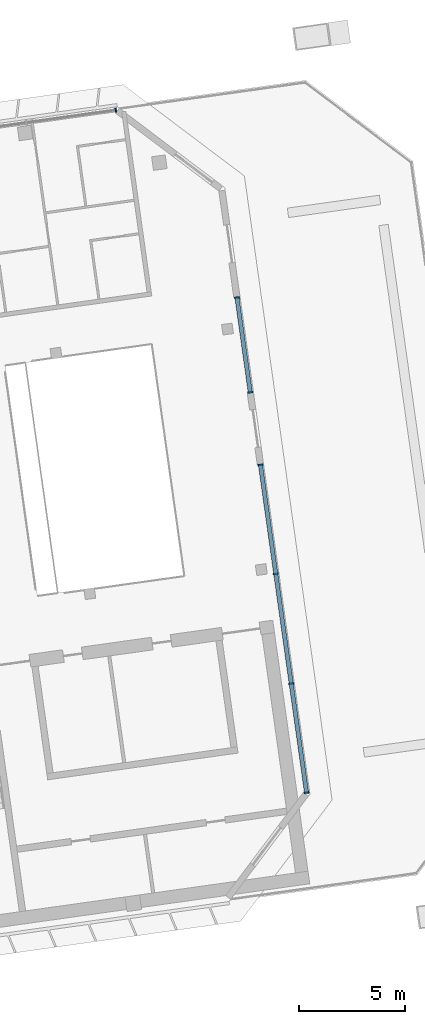
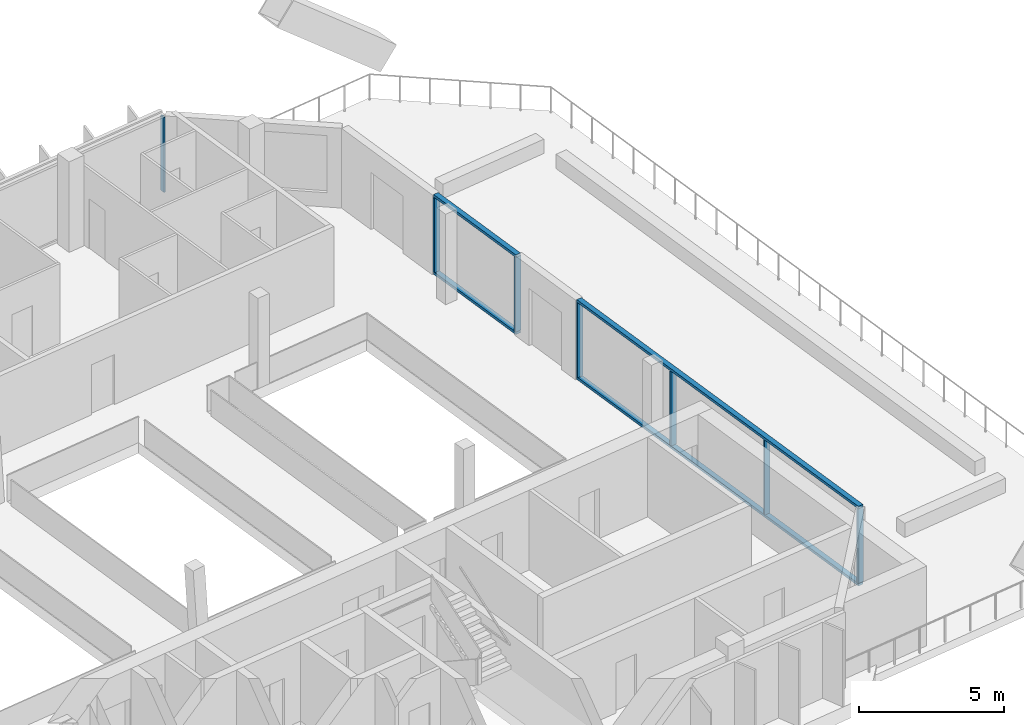
# One storey, part 8 of 19: 11 members, 3 elements without a shape of their own.
"""IFC4 building model written with IfcOpenShell, lengths in metres."""

import ifcopenshell
import ifcopenshell.guid

model = None  # the IFC model being written
_history = None  # IfcOwnerHistory: only IFC2X3 demands one
_inside = {}  # id of a spatial element -> (the spatial element, [elements in it])
_under = {}  # id of a project, library or spatial element -> (it, [spatial elements below it])
_declared = {}  # id of a project -> (the project, [libraries it declares])
_typed = {}  # id of a type object -> (the type object, [elements of that type])
_made_of = {}  # id of a material, layer set ... -> (it, [elements and type objects made of it])


def new_model(schema):
    """Start an empty IFC model of exactly this schema.

    Asked for "IFC4X3", IfcOpenShell would pick the latest addendum, in which some entities
    have other attributes; the version numbers below select the first issue.
    IFC2X3 requires an IfcOwnerHistory on every rooted entity: one is made here for all.
    """
    global model, _history
    if schema == "IFC4X3":
        model = ifcopenshell.file(schema_version=(4, 3, 0, 0))
    else:
        model = ifcopenshell.file(schema=schema)
    _inside.clear()
    _under.clear()
    _declared.clear()
    _typed.clear()
    _made_of.clear()
    _history = None
    if model.schema == "IFC2X3":
        org = make("IfcOrganization", Name="unknown")
        user = make(
            "IfcPersonAndOrganization",
            ThePerson=make("IfcPerson", FamilyName="unknown"),
            TheOrganization=org,
        )
        app = make(
            "IfcApplication",
            ApplicationDeveloper=org,
            Version="unknown",
            ApplicationFullName="unknown",
            ApplicationIdentifier="unknown",
        )
        _history = make(
            "IfcOwnerHistory",
            OwningUser=user,
            OwningApplication=app,
            ChangeAction="ADDED",
            CreationDate=0,
        )
    return model


def make(cls, **values):
    """One entity of the class cls with the attributes given. An attribute that is None is left unset."""
    return model.create_entity(
        cls, **{name: value for name, value in values.items() if value is not None}
    )


def rooted(cls, **values):
    """An entity with a GlobalId (a new one), such as an element, a storey or a relation."""
    return make(cls, GlobalId=ifcopenshell.guid.new(), OwnerHistory=_history, **values)


def si_unit(unit_type, name, prefix=None):
    """IfcSIUnit, for example si_unit("LENGTHUNIT", "METRE", prefix="MILLI")."""
    return make("IfcSIUnit", UnitType=unit_type, Prefix=prefix, Name=name)


def assignment(units):
    """IfcUnitAssignment: the units of a project."""
    return None if units is None else make("IfcUnitAssignment", Units=units)


def point(xyz):
    """IfcCartesianPoint."""
    return None if xyz is None else make("IfcCartesianPoint", Coordinates=xyz)


def direction(xyz):
    """IfcDirection."""
    return None if xyz is None else make("IfcDirection", DirectionRatios=xyz)


def frame(location, z_axis=None, x_axis=None):
    """IfcAxis2Placement3D, a coordinate frame: its origin and axes. An axis left out is left unset."""
    return make(
        "IfcAxis2Placement3D",
        Location=point(location),
        Axis=direction(z_axis),
        RefDirection=direction(x_axis),
    )


def frame_2d(location, x_axis=None):
    """IfcAxis2Placement2D, a coordinate frame in the plane: its origin and x axis."""
    return make(
        "IfcAxis2Placement2D", Location=point(location), RefDirection=direction(x_axis)
    )


def origin():
    """The frame at (0, 0, 0) with its axes left unset."""
    return frame((0.0, 0.0, 0.0))


def origin_2d():
    """The frame at (0, 0) in the plane with its x axis left unset."""
    return frame_2d((0.0, 0.0))


def place(relative_to, where):
    """IfcLocalPlacement: puts the frame where relative to a parent placement (None: the world)."""
    return make(
        "IfcLocalPlacement", PlacementRelTo=relative_to, RelativePlacement=where
    )


def context(
    kind, dimensions, precision=None, world=None, true_north=None, identifier=None
):
    """IfcGeometricRepresentationContext, for example the 3D "Model" context."""
    return make(
        "IfcGeometricRepresentationContext",
        ContextIdentifier=identifier,
        ContextType=kind,
        CoordinateSpaceDimension=dimensions,
        Precision=precision,
        WorldCoordinateSystem=world,
        TrueNorth=true_north,
    )


def subcontext(parent, identifier, kind, view, scale=None):
    """IfcGeometricRepresentationSubContext, for example "Body" below "Model"."""
    return make(
        "IfcGeometricRepresentationSubContext",
        ContextIdentifier=identifier,
        ContextType=kind,
        ParentContext=parent,
        TargetScale=scale,
        TargetView=view,
    )


def project(units=None, contexts=None):
    """IfcProject with its units and contexts."""
    return rooted(
        "IfcProject",
        Name="project",
        RepresentationContexts=contexts,
        UnitsInContext=assignment(units),
    )


def spatial(cls, under=None, at=None, **own):
    """A site, building, storey or space (cls), placed at a placement, below another one or the project."""
    s = rooted(cls, ObjectPlacement=at, **own)
    if under is not None:
        _under.setdefault(under.id(), (under, []))[1].append(s)
    return s


def profile(cls, at=None, kind="AREA", **sizes):
    """A parametric profile (cls). Its sizes go by their IFC names, for example OverallWidth=200.0."""
    return make(cls, ProfileType=kind, Position=at, **sizes)


def rectangle(**sizes):
    """IfcRectangleProfileDef."""
    return profile("IfcRectangleProfileDef", **sizes)


def extrude(swept, where, along, depth):
    """IfcExtrudedAreaSolid: the profile swept, set in the frame where, extruded along a direction by depth."""
    return make(
        "IfcExtrudedAreaSolid",
        SweptArea=swept,
        Position=where,
        ExtrudedDirection=direction(along),
        Depth=depth,
    )


def shape(context_of_items, identifier, shape_type, items):
    """IfcShapeRepresentation: the items that make up one representation, for example the "Body"."""
    return make(
        "IfcShapeRepresentation",
        ContextOfItems=context_of_items,
        RepresentationIdentifier=identifier,
        RepresentationType=shape_type,
        Items=items,
    )


def material(Name=None, Category=None):
    """IfcMaterial."""
    return make("IfcMaterial", Name=Name, Category=Category)


def material_profile(
    of_material, cross_section, Name=None, Category=None, Priority=None
):
    """IfcMaterialProfile: a cross section and its material."""
    return make(
        "IfcMaterialProfile",
        Name=Name,
        Material=of_material,
        Profile=cross_section,
        Priority=Priority,
        Category=Category,
    )


def profile_set(profiles, Name=None, composite=None):
    """IfcMaterialProfileSet."""
    return make(
        "IfcMaterialProfileSet",
        Name=Name,
        MaterialProfiles=profiles,
        CompositeProfile=composite,
    )


def made_of(thing, what):
    """Note that an element or type object is made of a material, layer set ...; save() writes the relation."""
    if what is not None:
        _made_of.setdefault(what.id(), (what, []))[1].append(thing)
    return thing


def type_object(cls, material=None, **own):
    """A type object (cls), such as IfcWallType, which elements share."""
    return made_of(rooted(cls, **own), material)


def element(
    cls,
    number,
    at=None,
    inside=None,
    cuts=None,
    type_object=None,
    material=None,
    context=None,
    identifier="Body",
    shape_type=None,
    held_by="IfcProductDefinitionShape",
    body=None,
    shapes=None,
    **own,
):
    """One element of the class cls, such as IfcWall. Its Tag is "e" and its number.

    at: its placement. inside: the storey or other place that contains it. cuts: it is an
    opening in that element (IfcRelVoidsElement). A single representation is given by context,
    identifier, shape_type and body (its items); several are given by shapes. held_by: the class
    of the entity that holds the representations. save() writes the other relations.
    """
    e = rooted(cls, Tag="e%d" % number, ObjectPlacement=at, **own)
    if body is not None:
        shapes = [shape(context, identifier, shape_type, body)]
    if shapes is not None:
        e.Representation = make(held_by, Representations=shapes)
    if inside is not None:
        _inside.setdefault(inside.id(), (inside, []))[1].append(e)
    if cuts is not None:
        rooted(
            "IfcRelVoidsElement", RelatingBuildingElement=cuts, RelatedOpeningElement=e
        )
    if type_object is not None:
        _typed.setdefault(type_object.id(), (type_object, []))[1].append(e)
    return made_of(e, material)


def aggregate(whole, parts):
    """IfcRelAggregates: a whole, such as a stair, and the parts it consists of."""
    return rooted("IfcRelAggregates", RelatingObject=whole, RelatedObjects=parts)


def save(model, path):
    """Write the relations noted so far, then the file.

    IfcRelAggregates (storeys below a building ...), IfcRelContainedInSpatialStructure (elements
    in a storey), IfcRelDefinesByType, IfcRelAssociatesMaterial and IfcRelDeclares: one each for
    every whole, place, type object, material and project.
    """
    for whole, parts in _under.values():
        aggregate(whole, parts)
    for where, things in _inside.values():
        rooted(
            "IfcRelContainedInSpatialStructure",
            RelatedElements=things,
            RelatingStructure=where,
        )
    for kind, things in _typed.values():
        rooted("IfcRelDefinesByType", RelatedObjects=things, RelatingType=kind)
    for what, things in _made_of.values():
        rooted("IfcRelAssociatesMaterial", RelatedObjects=things, RelatingMaterial=what)
    for by, libraries in _declared.values():
        rooted("IfcRelDeclares", RelatingContext=by, RelatedDefinitions=libraries)
    model.write(path)


model = new_model("IFC4")

# Units and contexts
model_context = context("Model", 3, precision=1e-05, world=origin(), true_north=direction((0.0, 1.0)))
body_context = subcontext(model_context, "Body", "Model", "MODEL_VIEW")
ifc_project = project(units=[si_unit("LENGTHUNIT", "METRE"), si_unit("AREAUNIT", "SQUARE_METRE"), si_unit("VOLUMEUNIT", "CUBIC_METRE"), si_unit("PLANEANGLEUNIT", "RADIAN"), si_unit("MASSUNIT", "GRAM", prefix="KILO")], contexts=[model_context])

# Site, building, storey
site_placement = place(None, origin())
site = spatial("IfcSite", under=ifc_project, at=site_placement, CompositionType="ELEMENT")
building_placement = place(site_placement, origin())
building = spatial("IfcBuilding", under=site, at=building_placement, Name="Mirante Cascada Hotel Towers", CompositionType="ELEMENT")
storey_placement = place(building_placement, frame((0.0, 0.0, 231.8)))
storey = spatial("IfcBuildingStorey", under=building, at=storey_placement, Name="L55", CompositionType="ELEMENT", Elevation=231.8)

# Curtain wall, member
ifc_material_1 = material(Name="Aluminium mullion and transom frame with clear laminated glass", Category="aluminium")
curtain_wall_type_1 = type_object("IfcCurtainWallType", Name="Ribbon curtain wall ECW1", PredefinedType="NOTDEFINED", material=ifc_material_1)
curtain_wall_1_placement = place(storey_placement, origin())
curtain_wall_1 = element("IfcCurtainWall", 1, at=curtain_wall_1_placement, inside=storey, type_object=curtain_wall_type_1, Name="Front ribbon wall T2 L55", PredefinedType="NOTDEFINED")
ifc_material_2 = material(Name="Anodised aluminium extrusion", Category="aluminium")
ifc_material_profile_1 = material_profile(ifc_material_2, rectangle(XDim=0.2, YDim=0.065, at=origin_2d()), Name="ECW1 MULLION 65x200")
ifc_profile_set_1 = profile_set([ifc_material_profile_1], Name="Anodised aluminium extrusion")
member_type_1 = type_object("IfcMemberType", Name="ECW1 mullion 65x200", PredefinedType="MULLION", material=ifc_profile_set_1)
member_1_placement = place(storey_placement, frame((58.4763, 21.0373, 0.1), z_axis=(0.0, 0.0, 1.0), x_axis=(0.1391731, -0.9902681, 0.0)))
member_1 = element("IfcMember", 2, at=member_1_placement, type_object=member_type_1, Name="ECW1 mullion 1", PredefinedType="MULLION", context=body_context, shape_type="SweptSolid", body=[
    extrude(rectangle(XDim=0.2, YDim=0.065, at=origin_2d()), origin(), (0.0, 0.0, 1.0), 3.15),
])
aggregate(curtain_wall_1, [member_1])

# Curtain wall, members
ifc_material_3 = material(Name="Aluminium mullion and transom frame with clear laminated glass", Category="aluminium")
curtain_wall_type_2 = type_object("IfcCurtainWallType", Name="Sky garden curtain wall ECW4", PredefinedType="NOTDEFINED", material=ifc_material_3)
curtain_wall_2_placement = place(storey_placement, origin())
curtain_wall_2 = element("IfcCurtainWall", 3, at=curtain_wall_2_placement, inside=storey, type_object=curtain_wall_type_2, Name="Sky garden wall T2 L55 run 1", PredefinedType="NOTDEFINED")
ifc_material_4 = material(Name="Anodised aluminium extrusion", Category="aluminium")
ifc_material_profile_2 = material_profile(ifc_material_4, rectangle(XDim=0.24, YDim=0.075, at=origin_2d()), Name="ECW4 MULLION 75x240")
ifc_profile_set_2 = profile_set([ifc_material_profile_2], Name="Anodised aluminium extrusion")
member_type_2 = type_object("IfcMemberType", Name="ECW4 mullion 75x240", PredefinedType="MULLION", material=ifc_profile_set_2)
member_2_placement = place(storey_placement, frame((67.5053, -11.2709, 0.11), z_axis=(0.0, 0.0, 1.0), x_axis=(-0.9902681, -0.1391731, 0.0)))
member_2 = element("IfcMember", 4, at=member_2_placement, type_object=member_type_2, Name="ECW4 mullion 1", PredefinedType="MULLION", context=body_context, shape_type="SweptSolid", body=[
    extrude(rectangle(XDim=0.24, YDim=0.075, at=origin_2d()), origin(), (0.0, 0.0, 1.0), 3.13),
])
member_3_placement = place(storey_placement, frame((66.7804, -6.1131, 0.11), z_axis=(0.0, 0.0, 1.0), x_axis=(-0.9902681, -0.1391731, 0.0)))
member_3 = element("IfcMember", 5, at=member_3_placement, type_object=member_type_2, Name="ECW4 mullion 2", PredefinedType="MULLION", context=body_context, shape_type="SweptSolid", body=[
    extrude(rectangle(XDim=0.24, YDim=0.075, at=origin_2d()), origin(), (0.0, 0.0, 1.0), 3.13),
])
member_4_placement = place(storey_placement, frame((66.0503, -0.9182, 0.11), z_axis=(0.0, 0.0, 1.0), x_axis=(-0.9902681, -0.1391731, 0.0)))
member_4 = element("IfcMember", 6, at=member_4_placement, type_object=member_type_2, Name="ECW4 mullion 3", PredefinedType="MULLION", context=body_context, shape_type="SweptSolid", body=[
    extrude(rectangle(XDim=0.24, YDim=0.075, at=origin_2d()), origin(), (0.0, 0.0, 1.0), 3.13),
])
member_5_placement = place(storey_placement, frame((65.3254, 4.2396, 0.11), z_axis=(0.0, 0.0, 1.0), x_axis=(-0.9902681, -0.1391731, 0.0)))
member_5 = element("IfcMember", 7, at=member_5_placement, type_object=member_type_2, Name="ECW4 mullion 4", PredefinedType="MULLION", context=body_context, shape_type="SweptSolid", body=[
    extrude(rectangle(XDim=0.24, YDim=0.075, at=origin_2d()), origin(), (0.0, 0.0, 1.0), 3.13),
])

curtain_wall_3_placement = place(storey_placement, origin())
curtain_wall_3 = element("IfcCurtainWall", 8, at=curtain_wall_3_placement, inside=storey, type_object=curtain_wall_type_2, Name="Sky garden wall T2 L55 run 3", PredefinedType="NOTDEFINED")
member_6_placement = place(storey_placement, frame((64.8418, 7.6808, 0.11), z_axis=(0.0, 0.0, 1.0), x_axis=(-0.9902681, -0.1391731, 0.0)))
member_6 = element("IfcMember", 9, at=member_6_placement, type_object=member_type_2, Name="ECW4 mullion 1", PredefinedType="MULLION", context=body_context, shape_type="SweptSolid", body=[
    extrude(rectangle(XDim=0.24, YDim=0.075, at=origin_2d()), origin(), (0.0, 0.0, 1.0), 3.13),
])
member_7_placement = place(storey_placement, frame((64.212, 12.1617, 0.11), z_axis=(0.0, 0.0, 1.0), x_axis=(-0.9902681, -0.1391731, 0.0)))
member_7 = element("IfcMember", 10, at=member_7_placement, type_object=member_type_2, Name="ECW4 mullion 2", PredefinedType="MULLION", context=body_context, shape_type="SweptSolid", body=[
    extrude(rectangle(XDim=0.24, YDim=0.075, at=origin_2d()), origin(), (0.0, 0.0, 1.0), 3.13),
])

# Member
ifc_material_5 = material(Name="Anodised aluminium extrusion", Category="aluminium")
ifc_material_profile_3 = material_profile(ifc_material_5, rectangle(XDim=0.2, YDim=0.11, at=origin_2d()), Name="ECW4 TRANSOM 110x200")
ifc_profile_set_3 = profile_set([ifc_material_profile_3], Name="Anodised aluminium extrusion")
member_type_3 = type_object("IfcMemberType", Name="ECW4 transom 110x200", PredefinedType="USERDEFINED", material=ifc_profile_set_3)
member_8_placement = place(storey_placement, frame((67.5105, -11.308, 0.055), z_axis=(-0.1391739, 0.990268, 0.0), x_axis=(-0.990268, -0.1391739, 0.0)))
member_8 = element("IfcMember", 11, at=member_8_placement, type_object=member_type_3, Name="ECW4 sill transom", ObjectType="TRANSOM", PredefinedType="USERDEFINED", context=body_context, shape_type="SweptSolid", body=[
    extrude(rectangle(XDim=0.2, YDim=0.11, at=origin_2d()), origin(), (0.0, 0.0, 1.0), 15.7379),
])

member_9_placement = place(storey_placement, frame((67.5105, -11.308, 3.295), z_axis=(-0.1391739, 0.990268, 0.0), x_axis=(-0.990268, -0.1391739, 0.0)))
member_9 = element("IfcMember", 12, at=member_9_placement, type_object=member_type_3, Name="ECW4 head transom", ObjectType="TRANSOM", PredefinedType="USERDEFINED", context=body_context, shape_type="SweptSolid", body=[
    extrude(rectangle(XDim=0.2, YDim=0.11, at=origin_2d()), origin(), (0.0, 0.0, 1.0), 15.7379),
])

aggregate(curtain_wall_2, [member_8, member_9, member_2, member_3, member_4, member_5])

member_10_placement = place(storey_placement, frame((64.847, 7.6436, 0.055), z_axis=(-0.1391749, 0.9902678, 0.0), x_axis=(-0.9902678, -0.1391749, 0.0)))
member_10 = element("IfcMember", 13, at=member_10_placement, type_object=member_type_3, Name="ECW4 sill transom", ObjectType="TRANSOM", PredefinedType="USERDEFINED", context=body_context, shape_type="SweptSolid", body=[
    extrude(rectangle(XDim=0.2, YDim=0.11, at=origin_2d()), origin(), (0.0, 0.0, 1.0), 4.6),
])

member_11_placement = place(storey_placement, frame((64.847, 7.6436, 3.295), z_axis=(-0.1391749, 0.9902678, 0.0), x_axis=(-0.9902678, -0.1391749, 0.0)))
member_11 = element("IfcMember", 14, at=member_11_placement, type_object=member_type_3, Name="ECW4 head transom", ObjectType="TRANSOM", PredefinedType="USERDEFINED", context=body_context, shape_type="SweptSolid", body=[
    extrude(rectangle(XDim=0.2, YDim=0.11, at=origin_2d()), origin(), (0.0, 0.0, 1.0), 4.6),
])

aggregate(curtain_wall_3, [member_10, member_11, member_6, member_7])

save(model, "model.ifc")
